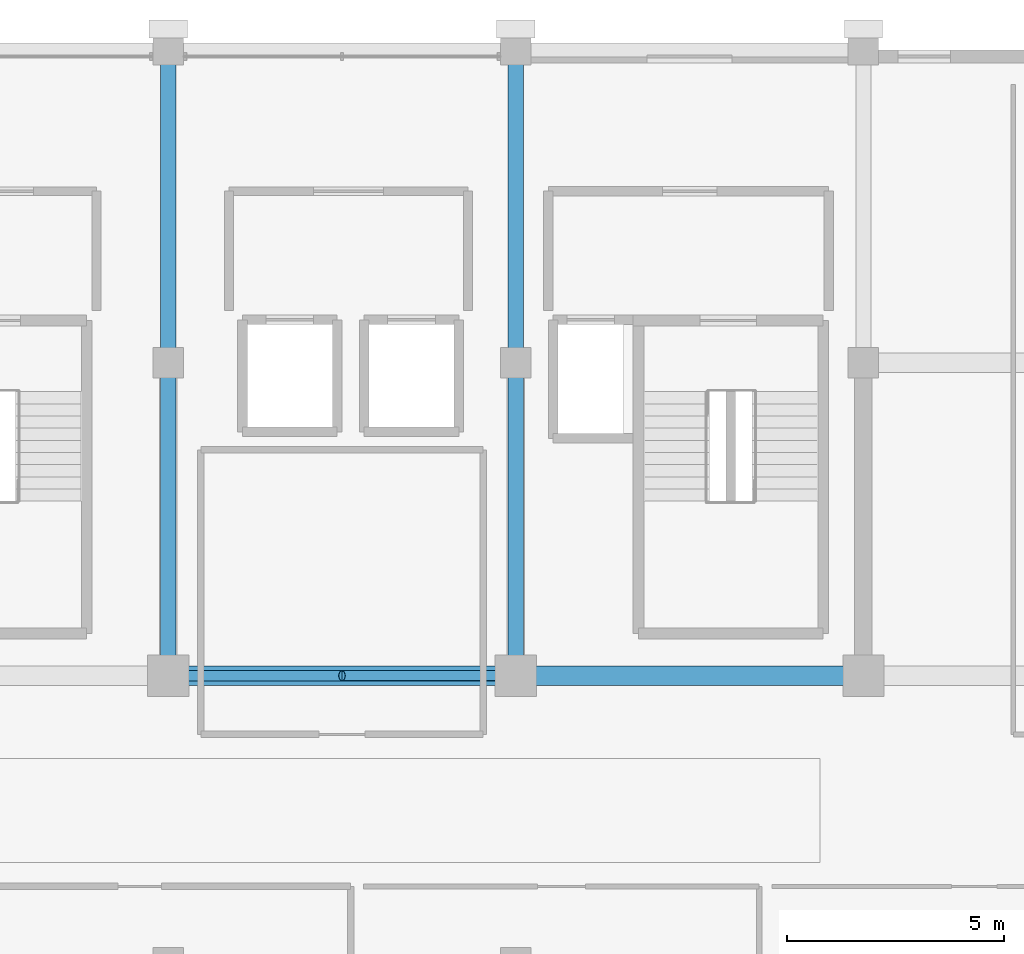
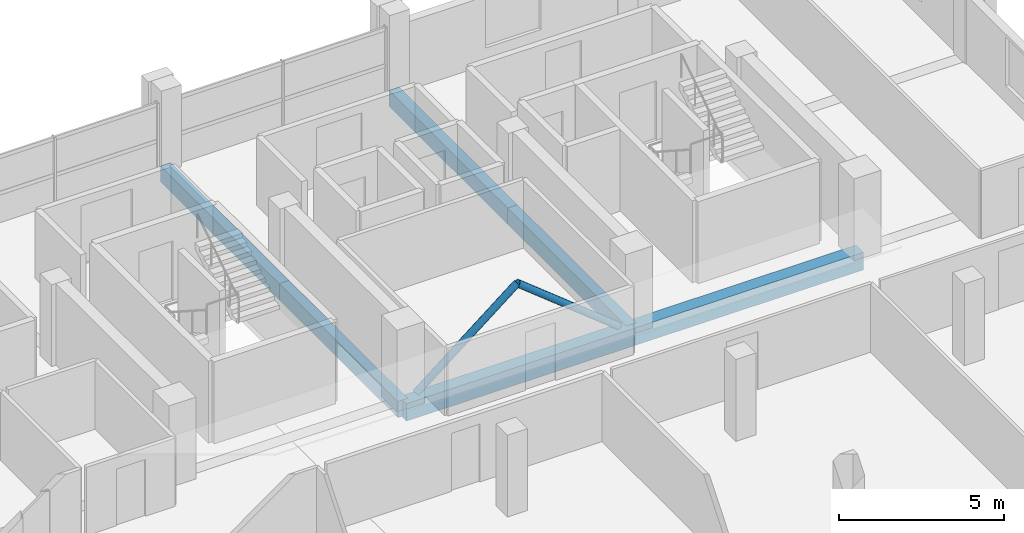
# One storey, part 17 of 25: 6 beams, 2 members.
"""IFC4 building model written with IfcOpenShell, lengths in metres."""

from ifc_helpers import new_model, si_unit, direction, frame, origin, origin_2d, place, context, subcontext, project, spatial, rectangle, hollow_circle, extrude, material, material_profile, profile_set, type_object, element, save


model = new_model("IFC4")

# Units and contexts
model_context = context("Model", 3, precision=1e-05, world=origin(), true_north=direction((0.0, 1.0)))
body_context = subcontext(model_context, "Body", "Model", "MODEL_VIEW")
ifc_project = project(units=[si_unit("LENGTHUNIT", "METRE"), si_unit("AREAUNIT", "SQUARE_METRE"), si_unit("VOLUMEUNIT", "CUBIC_METRE"), si_unit("PLANEANGLEUNIT", "RADIAN"), si_unit("MASSUNIT", "GRAM", prefix="KILO")], contexts=[model_context])

# Site, building, storey
site_placement = place(None, origin())
site = spatial("IfcSite", under=ifc_project, at=site_placement, CompositionType="ELEMENT")
building_placement = place(site_placement, origin())
building = spatial("IfcBuilding", under=site, at=building_placement, Name="Akrevak Sports Hall", CompositionType="ELEMENT")
storey_placement = place(building_placement, frame((0.0, 0.0, 50.300048828125)))
storey = spatial("IfcBuildingStorey", under=building, at=storey_placement, Name="L12", CompositionType="ELEMENT", Elevation=50.300048828125)

# Beams
ifc_material_1 = material(Name="Concrete C40/50", Category="concrete")
ifc_material_profile_1 = material_profile(ifc_material_1, rectangle(XDim=0.35009765625, YDim=0.60009765625, at=origin_2d()), Name="BM 350x600", Category="concrete")
ifc_profile_set_1 = profile_set([ifc_material_profile_1], Name="Concrete C40/50")
beam_type_1 = type_object("IfcBeamType", Name="STR-BM-RC350x600", PredefinedType="BEAM", material=ifc_profile_set_1)
beam_1_placement = place(storey_placement, frame((84.0, 55.199951171875, -0.300048828125), z_axis=(0.0, 1.0, 0.0), x_axis=(-1.0, 0.0, 0.0)))
element("IfcBeam", 1, at=beam_1_placement, inside=storey, type_object=beam_type_1, Name="Girder 12/I-J (L12)", PredefinedType="BEAM", context=body_context, shape_type="SweptSolid", body=[
    extrude(rectangle(XDim=0.35009765625, YDim=0.60009765625, at=origin_2d()), origin(), (0.0, 0.0, 1.0), 7.199951171875),
])
beam_2_placement = place(storey_placement, frame((84.0, 62.39990234375, -0.300048828125), z_axis=(0.0, 1.0, 0.0), x_axis=(-1.0, 0.0, 0.0)))
element("IfcBeam", 2, at=beam_2_placement, inside=storey, type_object=beam_type_1, Name="Girder 12/J-K (L12)", PredefinedType="BEAM", context=body_context, shape_type="SweptSolid", body=[
    extrude(rectangle(XDim=0.35009765625, YDim=0.60009765625, at=origin_2d()), origin(), (0.0, 0.0, 1.0), 7.2001953125),
])
beam_3_placement = place(storey_placement, frame((92.0, 55.199951171875, -0.300048828125), z_axis=(0.0, 1.0, 0.0), x_axis=(-1.0, 0.0, 0.0)))
element("IfcBeam", 3, at=beam_3_placement, inside=storey, type_object=beam_type_1, Name="Girder 13/I-J (L12)", PredefinedType="BEAM", context=body_context, shape_type="SweptSolid", body=[
    extrude(rectangle(XDim=0.35009765625, YDim=0.60009765625, at=origin_2d()), origin(), (0.0, 0.0, 1.0), 7.199951171875),
])
beam_4_placement = place(storey_placement, frame((92.0, 62.39990234375, -0.300048828125), z_axis=(0.0, 1.0, 0.0), x_axis=(-1.0, 0.0, 0.0)))
element("IfcBeam", 4, at=beam_4_placement, inside=storey, type_object=beam_type_1, Name="Girder 13/J-K (L12)", PredefinedType="BEAM", context=body_context, shape_type="SweptSolid", body=[
    extrude(rectangle(XDim=0.35009765625, YDim=0.60009765625, at=origin_2d()), origin(), (0.0, 0.0, 1.0), 7.2001953125),
])
ifc_material_profile_2 = material_profile(ifc_material_1, rectangle(XDim=0.449951171875, YDim=0.64990234375, at=origin_2d()), Name="BM 450x650", Category="concrete")
ifc_profile_set_2 = profile_set([ifc_material_profile_2], Name="Concrete C40/50")
beam_type_2 = type_object("IfcBeamType", Name="STR-BM-RC450x650", PredefinedType="BEAM", material=ifc_profile_set_2)
for number, where, z_axis, x_axis, name in (
    (5, (84.0, 55.199951171875, -0.324951171875), (1.0, 0.0, 0.0), (0.0, 1.0, 0.0), "Girder I/12-13 (L12)"),
    (6, (92.0, 55.199951171875, -0.324951171875), (1.0, 0.0, 0.0), (0.0, 1.0, 0.0), "Girder I/13-14 (L12)"),
):
    element("IfcBeam", number, at=place(storey_placement, frame(where, z_axis=z_axis, x_axis=x_axis)), inside=storey, type_object=beam_type_2, Name=name, PredefinedType="BEAM", context=body_context, shape_type="SweptSolid", body=[
        extrude(rectangle(XDim=0.449951171875, YDim=0.64990234375, at=origin_2d()), origin(), (0.0, 0.0, 1.0), 8.0),
    ])

# Members
ifc_material_2 = material(Name="Steel S355", Category="steel")
ifc_material_profile_3 = material_profile(ifc_material_2, hollow_circle(Radius=0.122314453125, WallThickness=0.012451171875, at=origin_2d()), Name="CHS 244.5x12.5", Category="steel")
ifc_profile_set_3 = profile_set([ifc_material_profile_3], Name="Steel S355")
member_type = type_object("IfcMemberType", Name="STR-MEM-BRACE-CHS244", PredefinedType="BRACE", material=ifc_profile_set_3)
for number, where, z_axis, x_axis, name in (
    (7, (84.449951171875, 55.199951171875, 0.099853515625), (0.781937911139, 0.0, 0.623356321155), (0.0, 1.0, 0.0), "Tower Chevron Steel Brace L12-6A"),
    (8, (91.550048828125, 55.199951171875, 0.099853515625), (-0.781937911139, 0.0, 0.623356321155), (0.0, -1.0, 0.0), "Tower Chevron Steel Brace L12-6B"),
):
    element("IfcMember", number, at=place(storey_placement, frame(where, z_axis=z_axis, x_axis=x_axis)), inside=storey, type_object=member_type, Name=name, PredefinedType="BRACE", context=body_context, shape_type="SweptSolid", body=[
        extrude(hollow_circle(Radius=0.122314453125, WallThickness=0.012451171875, at=origin_2d()), origin(), (0.0, 0.0, 1.0), 4.5400390625),
    ])

save(model, "model.ifc")
